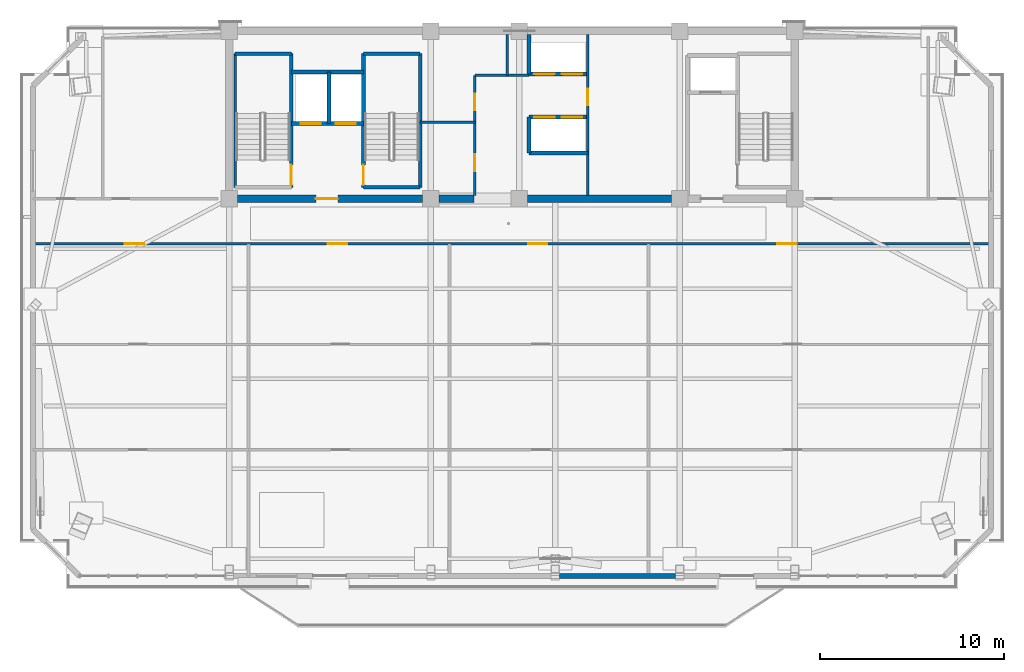
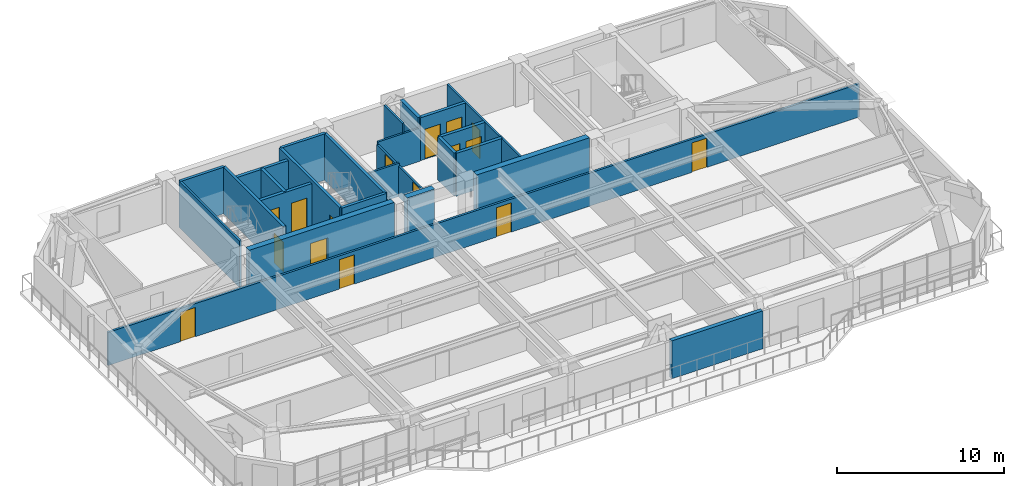
# One storey, part 9 of 15: 25 walls, 16 doors, 16 openings.
"""IFC4 building model written with IfcOpenShell, lengths in metres."""

from ifc_helpers import new_model, si_unit, direction, frame, frame_2d, origin, place, context, subcontext, project, spatial, rectangle, extrude, source, transform, mapped, material, layer, layer_set, type_object, element, fill, save


model = new_model("IFC4")

# Units and contexts
model_context = context("Model", 3, precision=1e-05, world=origin(), true_north=direction((0.0, 1.0)))
body_context = subcontext(model_context, "Body", "Model", "MODEL_VIEW")
ifc_project = project(units=[si_unit("LENGTHUNIT", "METRE"), si_unit("AREAUNIT", "SQUARE_METRE"), si_unit("VOLUMEUNIT", "CUBIC_METRE"), si_unit("PLANEANGLEUNIT", "RADIAN"), si_unit("MASSUNIT", "GRAM", prefix="KILO")], contexts=[model_context])

# Site, building, storey
site_placement = place(None, origin())
site = spatial("IfcSite", under=ifc_project, at=site_placement, CompositionType="ELEMENT")
building_placement = place(site_placement, origin())
building = spatial("IfcBuilding", under=site, at=building_placement, Name="Giltprow Tower", CompositionType="ELEMENT")
storey_placement = place(building_placement, frame((0.0, 0.0, 275.699951171875)))
storey = spatial("IfcBuildingStorey", under=building, at=storey_placement, Name="L71", CompositionType="ELEMENT", Elevation=275.699951171875)

# Wall
ifc_material_1 = material(Name="Precast concrete C40", Category="concrete")
ifc_layer_1 = layer(ifc_material_1, 0.280029296875, Name="Precast concrete C40")
ifc_layer_set_1 = layer_set([ifc_layer_1], Name="Precast concrete C40")
wall_type_1 = type_object("IfcWallType", Name="EW-TOW-BRONZE-280", PredefinedType="SOLIDWALL", material=ifc_layer_set_1)
wall_1_placement = place(storey_placement, frame((37.77490234375, 16.97607421875, 0.0), z_axis=(0.0, 0.0, 1.0), x_axis=(1.0, 0.0, 0.0)))
element("IfcWall", 1, at=wall_1_placement, inside=storey, type_object=wall_type_1, Name="L71 South Expressed Frame Wall 4", PredefinedType="SOLIDWALL", context=body_context, shape_type="SweptSolid", body=[
    extrude(rectangle(XDim=6.300048828125, YDim=0.280029296875, at=frame_2d((3.14990234375, 0.0))), origin(), (0.0, 0.0, 1.0), 2.77001953125),
])

# Wall, openings, doors
ifc_material_2 = material(Name="Gypsum stud partition", Category="gypsum")
ifc_layer_2 = layer(ifc_material_2, 0.14990234375, Name="Gypsum stud partition")
ifc_layer_set_2 = layer_set([ifc_layer_2], Name="Gypsum stud partition")
wall_type_2 = type_object("IfcWallType", Name="IW-CORR-150", PredefinedType="PARTITIONING", material=ifc_layer_set_2)
wall_2_placement = place(storey_placement, frame((9.194091796875, 35.0, 0.0), z_axis=(0.0, 0.0, 1.0), x_axis=(1.0, 0.0, 0.0)))
wall_2 = element("IfcWall", 2, at=wall_2_placement, inside=storey, type_object=wall_type_2, Name="L71 Residence Gallery Corridor Wall", PredefinedType="PARTITIONING", context=body_context, shape_type="SweptSolid", body=[
    extrude(rectangle(XDim=52.012939453125, YDim=0.14990234375, at=frame_2d((26.00634765625, 0.0))), origin(), (0.0, 0.0, 1.0), 2.425048828125),
])
opening_1_placement = place(wall_2_placement, frame((4.9990234375, 0.0, 0.0)))
opening_1 = element("IfcOpeningElement", 3, at=opening_1_placement, cuts=wall_2, Name="Opening ID31", PredefinedType="OPENING", context=body_context, shape_type="SweptSolid", body=[
    extrude(rectangle(XDim=1.050048828125, YDim=2.14990234375, at=frame_2d((0.52490234375, 1.074951171875))), frame((0.0, 0.0849609375, 0.0), z_axis=(0.0, -1.0, 0.0), x_axis=(1.0, 0.0, 0.0)), (0.0, 0.0, 1.0), 0.169921875),
])
opening_2_placement = place(wall_2_placement, frame((16.01708984375, 0.0, 0.0)))
opening_2 = element("IfcOpeningElement", 4, at=opening_2_placement, cuts=wall_2, Name="Opening ID31", PredefinedType="OPENING", context=body_context, shape_type="SweptSolid", body=[
    extrude(rectangle(XDim=1.050048828125, YDim=2.14990234375, at=frame_2d((0.52490234375, 1.074951171875))), frame((0.0, 0.0849609375, 0.0), z_axis=(0.0, -1.0, 0.0), x_axis=(1.0, 0.0, 0.0)), (0.0, 0.0, 1.0), 0.169921875),
])
opening_3_placement = place(wall_2_placement, frame((26.87890625, 0.0, 0.0)))
opening_3 = element("IfcOpeningElement", 5, at=opening_3_placement, cuts=wall_2, Name="Opening ID31", PredefinedType="OPENING", context=body_context, shape_type="SweptSolid", body=[
    extrude(rectangle(XDim=1.050048828125, YDim=2.14990234375, at=frame_2d((0.52490234375, 1.074951171875))), frame((0.0, 0.0849609375, 0.0), z_axis=(0.0, -1.0, 0.0), x_axis=(1.0, 0.0, 0.0)), (0.0, 0.0, 1.0), 0.169921875),
])
opening_4_placement = place(wall_2_placement, frame((40.412109375, 0.0, 0.0)))
opening_4 = element("IfcOpeningElement", 6, at=opening_4_placement, cuts=wall_2, Name="Opening ID31", PredefinedType="OPENING", context=body_context, shape_type="SweptSolid", body=[
    extrude(rectangle(XDim=1.050048828125, YDim=2.14990234375, at=frame_2d((0.52490234375, 1.074951171875))), frame((0.0, 0.0849609375, 0.0), z_axis=(0.0, -1.0, 0.0), x_axis=(1.0, 0.0, 0.0)), (0.0, 0.0, 1.0), 0.169921875),
])
ifc_material_3 = material(Name="Engineered timber", Category="wood")
door_type_1 = type_object("IfcDoorType", Name="DR-SUITE-1050", OperationType="SINGLE_SWING_LEFT", PredefinedType="DOOR", material=ifc_material_3)
shared_shape_1 = source(origin(), body_context, "Body", "SweptSolid", [
    extrude(rectangle(XDim=1.050048828125, YDim=2.14990234375, at=frame_2d((0.52490234375, 1.074951171875))), frame((0.0, 0.02490234375, 0.0), z_axis=(0.0, -1.0, 0.0), x_axis=(1.0, 0.0, 0.0)), (0.0, 0.0, 1.0), 0.050048828125),
])
door_1_placement = place(opening_1_placement, origin())
door_1 = element("IfcDoor", 7, at=door_1_placement, inside=storey, type_object=door_type_1, Name="L71 Private Wine Cellar Store 1 North Door", OperationType="SINGLE_SWING_RIGHT", OverallHeight=2.14990234375, OverallWidth=1.050048828125, PredefinedType="DOOR", context=body_context, shape_type="MappedRepresentation", body=[
    mapped(shared_shape_1, transform((0.0, 0.0, 0.0), x_axis=(1.0, 0.0, 0.0), y_axis=(0.0, 1.0, 0.0), z_axis=(0.0, 0.0, 1.0), scale=1.0)),
])
fill(opening_1, door_1)
door_2_placement = place(opening_2_placement, origin())
door_2 = element("IfcDoor", 8, at=door_2_placement, inside=storey, type_object=door_type_1, Name="L71 Residents Sky Club Lounge North Door", OperationType="SINGLE_SWING_LEFT", OverallHeight=2.14990234375, OverallWidth=1.050048828125, PredefinedType="DOOR", context=body_context, shape_type="MappedRepresentation", body=[
    mapped(shared_shape_1, transform((0.0, 0.0, 0.0), x_axis=(1.0, 0.0, 0.0), y_axis=(0.0, 1.0, 0.0), z_axis=(0.0, 0.0, 1.0), scale=1.0)),
])
fill(opening_2, door_2)
door_3_placement = place(opening_3_placement, origin())
door_3 = element("IfcDoor", 9, at=door_3_placement, inside=storey, type_object=door_type_1, Name="L71 Residents Sky Club Lounge North Door", OperationType="SINGLE_SWING_RIGHT", OverallHeight=2.14990234375, OverallWidth=1.050048828125, PredefinedType="DOOR", context=body_context, shape_type="MappedRepresentation", body=[
    mapped(shared_shape_1, transform((0.0, 0.0, 0.0), x_axis=(1.0, 0.0, 0.0), y_axis=(0.0, 1.0, 0.0), z_axis=(0.0, 0.0, 1.0), scale=1.0)),
])
fill(opening_3, door_3)
door_4_placement = place(opening_4_placement, origin())
door_4 = element("IfcDoor", 10, at=door_4_placement, inside=storey, type_object=door_type_1, Name="L71 Valet Trunk Store 2 North Door", OperationType="SINGLE_SWING_LEFT", OverallHeight=2.14990234375, OverallWidth=1.050048828125, PredefinedType="DOOR", context=body_context, shape_type="MappedRepresentation", body=[
    mapped(shared_shape_1, transform((0.0, 0.0, 0.0), x_axis=(1.0, 0.0, 0.0), y_axis=(0.0, 1.0, 0.0), z_axis=(0.0, 0.0, 1.0), scale=1.0)),
])
fill(opening_4, door_4)

ifc_material_4 = material(Name="Concrete C40", Category="concrete")
ifc_layer_3 = layer(ifc_material_4, 0.219970703125, Name="Concrete C40")
ifc_layer_set_3 = layer_set([ifc_layer_3], Name="Concrete C40")
wall_type_3 = type_object("IfcWallType", Name="IW-SHAFT-220", PredefinedType="SOLIDWALL", material=ifc_layer_set_3)
wall_3_placement = place(storey_placement, frame((23.219970703125, 41.52001953125, 0.0), z_axis=(0.0, 0.0, 1.0), x_axis=(1.0, 0.0, 0.0)))
wall_3 = element("IfcWall", 11, at=wall_3_placement, inside=storey, type_object=wall_type_3, Name="L71 FFL1 and Service Lift Front Wall", PredefinedType="SOLIDWALL", context=body_context, shape_type="SweptSolid", body=[
    extrude(rectangle(XDim=3.919921875, YDim=0.219970703125, at=frame_2d((1.9599609375, 0.0))), origin(), (0.0, 0.0, 1.0), 3.14013671875),
])
opening_5_placement = place(wall_3_placement, frame((0.5, 0.0, 0.0)))
opening_5 = element("IfcOpeningElement", 12, at=opening_5_placement, cuts=wall_3, Name="Opening LD-11", PredefinedType="OPENING", context=body_context, shape_type="SweptSolid", body=[
    extrude(rectangle(XDim=1.10009765625, YDim=2.199951171875, at=frame_2d((0.550048828125, 1.10009765625))), frame((0.0, 0.119873046875, 0.0), z_axis=(0.0, -1.0, 0.0), x_axis=(1.0, 0.0, 0.0)), (0.0, 0.0, 1.0), 0.239990234375),
])
opening_6_placement = place(wall_3_placement, frame((2.39990234375, 0.0, 0.0)))
opening_6 = element("IfcOpeningElement", 13, at=opening_6_placement, cuts=wall_3, Name="Opening LD-11", PredefinedType="OPENING", context=body_context, shape_type="SweptSolid", body=[
    extrude(rectangle(XDim=1.10009765625, YDim=2.199951171875, at=frame_2d((0.550048828125, 1.10009765625))), frame((0.0, 0.119873046875, 0.0), z_axis=(0.0, -1.0, 0.0), x_axis=(1.0, 0.0, 0.0)), (0.0, 0.0, 1.0), 0.239990234375),
])
ifc_material_5 = material(Name="Stainless steel", Category="steel")
door_type_2 = type_object("IfcDoorType", Name="DR-LIFT-LD1100", OperationType="SLIDING_TO_LEFT", PredefinedType="DOOR", material=ifc_material_5)
shared_shape_2 = source(origin(), body_context, "Body", "SweptSolid", [
    extrude(rectangle(XDim=1.10009765625, YDim=2.199951171875, at=frame_2d((0.550048828125, 1.10009765625))), frame((0.0, 0.02490234375, 0.0), z_axis=(0.0, -1.0, 0.0), x_axis=(1.0, 0.0, 0.0)), (0.0, 0.0, 1.0), 0.050048828125),
])
door_5_placement = place(opening_5_placement, origin())
door_5 = element("IfcDoor", 14, at=door_5_placement, inside=storey, type_object=door_type_2, Name="L71 FFL1 Landing Door", OperationType="SLIDING_TO_LEFT", OverallHeight=2.199951171875, OverallWidth=1.10009765625, PredefinedType="DOOR", context=body_context, shape_type="MappedRepresentation", body=[
    mapped(shared_shape_2, transform((0.0, 0.0, 0.0), x_axis=(1.0, 0.0, 0.0), y_axis=(0.0, 1.0, 0.0), z_axis=(0.0, 0.0, 1.0), scale=1.0)),
])
fill(opening_5, door_5)
door_6_placement = place(opening_6_placement, origin())
door_6 = element("IfcDoor", 15, at=door_6_placement, inside=storey, type_object=door_type_2, Name="L71 SVL1 Landing Door", OperationType="SLIDING_TO_LEFT", OverallHeight=2.199951171875, OverallWidth=1.10009765625, PredefinedType="DOOR", context=body_context, shape_type="MappedRepresentation", body=[
    mapped(shared_shape_2, transform((0.0, 0.0, 0.0), x_axis=(1.0, 0.0, 0.0), y_axis=(0.0, 1.0, 0.0), z_axis=(0.0, 0.0, 1.0), scale=1.0)),
])
fill(opening_6, door_6)

# Walls
wall_4_placement = place(storey_placement, frame((25.260009765625, 41.52001953125, 0.0), z_axis=(0.0, 0.0, 1.0), x_axis=(0.0, 1.0, 0.0)))
element("IfcWall", 16, at=wall_4_placement, inside=storey, type_object=wall_type_3, Name="L71 FFL1-SVL1 Shaft Divider", PredefinedType="SOLIDWALL", context=body_context, shape_type="SweptSolid", body=[
    extrude(rectangle(XDim=2.800048828125, YDim=0.219970703125, at=frame_2d((1.39990234375, 0.0))), origin(), (0.0, 0.0, 1.0), 3.14013671875),
])
wall_5_placement = place(storey_placement, frame((23.219970703125, 44.320068359375, 0.0), z_axis=(0.0, 0.0, 1.0), x_axis=(1.0, 0.0, 0.0)))
element("IfcWall", 17, at=wall_5_placement, inside=storey, type_object=wall_type_3, Name="L71 FFL1-SVL1 Back Shaft Wall", PredefinedType="SOLIDWALL", context=body_context, shape_type="SweptSolid", body=[
    extrude(rectangle(XDim=3.919921875, YDim=0.219970703125, at=frame_2d((1.9599609375, 0.0))), origin(), (0.0, 0.0, 1.0), 3.14013671875),
])

# Wall, openings, doors
wall_6_placement = place(storey_placement, frame((36.1201171875, 44.219970703125, 0.0), z_axis=(0.0, 0.0, 1.0), x_axis=(1.0, 0.0, 0.0)))
wall_6 = element("IfcWall", 18, at=wall_6_placement, inside=storey, type_object=wall_type_3, Name="L71 High-Rise Lift Shaft Front Wall N", PredefinedType="SOLIDWALL", context=body_context, shape_type="SweptSolid", body=[
    extrude(rectangle(XDim=3.199951171875, YDim=0.219970703125, at=frame_2d((1.60009765625, 0.0))), origin(), (0.0, 0.0, 1.0), 3.14013671875),
])
opening_7_placement = place(wall_6_placement, frame((0.300048828125, 0.0, 0.0)))
opening_7 = element("IfcOpeningElement", 19, at=opening_7_placement, cuts=wall_6, Name="Opening LD-11", PredefinedType="OPENING", context=body_context, shape_type="SweptSolid", body=[
    extrude(rectangle(XDim=1.10009765625, YDim=2.199951171875, at=frame_2d((0.550048828125, 1.10009765625))), frame((0.0, 0.119873046875, 0.0), z_axis=(0.0, -1.0, 0.0), x_axis=(1.0, 0.0, 0.0)), (0.0, 0.0, 1.0), 0.239990234375),
])
opening_8_placement = place(wall_6_placement, frame((1.7900390625, 0.0, 0.0)))
opening_8 = element("IfcOpeningElement", 20, at=opening_8_placement, cuts=wall_6, Name="Opening LD-11", PredefinedType="OPENING", context=body_context, shape_type="SweptSolid", body=[
    extrude(rectangle(XDim=1.10009765625, YDim=2.199951171875, at=frame_2d((0.550048828125, 1.10009765625))), frame((0.0, 0.119873046875, 0.0), z_axis=(0.0, -1.0, 0.0), x_axis=(1.0, 0.0, 0.0)), (0.0, 0.0, 1.0), 0.239990234375),
])
door_7_placement = place(opening_7_placement, origin())
door_7 = element("IfcDoor", 21, at=door_7_placement, inside=storey, type_object=door_type_2, Name="L71 PL-H1 Landing Door", OperationType="SLIDING_TO_LEFT", OverallHeight=2.199951171875, OverallWidth=1.10009765625, PredefinedType="DOOR", context=body_context, shape_type="MappedRepresentation", body=[
    mapped(shared_shape_2, transform((0.0, 0.0, 0.0), x_axis=(1.0, 0.0, 0.0), y_axis=(0.0, 1.0, 0.0), z_axis=(0.0, 0.0, 1.0), scale=1.0)),
])
fill(opening_7, door_7)
door_8_placement = place(opening_8_placement, origin())
door_8 = element("IfcDoor", 22, at=door_8_placement, inside=storey, type_object=door_type_2, Name="L71 PL-H2 Landing Door", OperationType="SLIDING_TO_LEFT", OverallHeight=2.199951171875, OverallWidth=1.10009765625, PredefinedType="DOOR", context=body_context, shape_type="MappedRepresentation", body=[
    mapped(shared_shape_2, transform((0.0, 0.0, 0.0), x_axis=(1.0, 0.0, 0.0), y_axis=(0.0, 1.0, 0.0), z_axis=(0.0, 0.0, 1.0), scale=1.0)),
])
fill(opening_8, door_8)

wall_7_placement = place(storey_placement, frame((36.1201171875, 41.8798828125, 0.0), z_axis=(0.0, 0.0, 1.0), x_axis=(1.0, 0.0, 0.0)))
wall_7 = element("IfcWall", 23, at=wall_7_placement, inside=storey, type_object=wall_type_3, Name="L71 High-Rise Lift Shaft Front Wall S", PredefinedType="SOLIDWALL", context=body_context, shape_type="SweptSolid", body=[
    extrude(rectangle(XDim=3.199951171875, YDim=0.219970703125, at=frame_2d((1.60009765625, 0.0))), origin(), (0.0, 0.0, 1.0), 3.14013671875),
])
opening_9_placement = place(wall_7_placement, frame((0.300048828125, 0.0, 0.0)))
opening_9 = element("IfcOpeningElement", 24, at=opening_9_placement, cuts=wall_7, Name="Opening LD-11", PredefinedType="OPENING", context=body_context, shape_type="SweptSolid", body=[
    extrude(rectangle(XDim=1.10009765625, YDim=2.199951171875, at=frame_2d((0.550048828125, 1.10009765625))), frame((0.0, 0.119873046875, 0.0), z_axis=(0.0, -1.0, 0.0), x_axis=(1.0, 0.0, 0.0)), (0.0, 0.0, 1.0), 0.239990234375),
])
opening_10_placement = place(wall_7_placement, frame((1.7900390625, 0.0, 0.0)))
opening_10 = element("IfcOpeningElement", 25, at=opening_10_placement, cuts=wall_7, Name="Opening LD-11", PredefinedType="OPENING", context=body_context, shape_type="SweptSolid", body=[
    extrude(rectangle(XDim=1.10009765625, YDim=2.199951171875, at=frame_2d((0.550048828125, 1.10009765625))), frame((0.0, 0.119873046875, 0.0), z_axis=(0.0, -1.0, 0.0), x_axis=(1.0, 0.0, 0.0)), (0.0, 0.0, 1.0), 0.239990234375),
])
door_9_placement = place(opening_9_placement, origin())
door_9 = element("IfcDoor", 26, at=door_9_placement, inside=storey, type_object=door_type_2, Name="L71 PL-H3 Landing Door", OperationType="SLIDING_TO_LEFT", OverallHeight=2.199951171875, OverallWidth=1.10009765625, PredefinedType="DOOR", context=body_context, shape_type="MappedRepresentation", body=[
    mapped(shared_shape_2, transform((0.0, 0.0, 0.0), x_axis=(1.0, 0.0, 0.0), y_axis=(0.0, 1.0, 0.0), z_axis=(0.0, 0.0, 1.0), scale=1.0)),
])
fill(opening_9, door_9)
door_10_placement = place(opening_10_placement, origin())
door_10 = element("IfcDoor", 27, at=door_10_placement, inside=storey, type_object=door_type_2, Name="L71 PL-H4 Landing Door", OperationType="SLIDING_TO_LEFT", OverallHeight=2.199951171875, OverallWidth=1.10009765625, PredefinedType="DOOR", context=body_context, shape_type="MappedRepresentation", body=[
    mapped(shared_shape_2, transform((0.0, 0.0, 0.0), x_axis=(1.0, 0.0, 0.0), y_axis=(0.0, 1.0, 0.0), z_axis=(0.0, 0.0, 1.0), scale=1.0)),
])
fill(opening_10, door_10)

# Walls
wall_8_placement = place(storey_placement, frame((36.1201171875, 39.919921875, 0.0), z_axis=(0.0, 0.0, 1.0), x_axis=(1.0, 0.0, 0.0)))
element("IfcWall", 28, at=wall_8_placement, inside=storey, type_object=wall_type_3, Name="L71 High-Rise South Lift Back Wall", PredefinedType="SOLIDWALL", context=body_context, shape_type="SweptSolid", body=[
    extrude(rectangle(XDim=3.199951171875, YDim=0.219970703125, at=frame_2d((1.60009765625, 0.0))), origin(), (0.0, 0.0, 1.0), 3.14013671875),
])
wall_9_placement = place(storey_placement, frame((36.1201171875, 39.919921875, 0.0), z_axis=(0.0, 0.0, 1.0), x_axis=(0.0, 1.0, 0.0)))
element("IfcWall", 29, at=wall_9_placement, inside=storey, type_object=wall_type_3, Name="L71 High-Rise South Lift West Closure", PredefinedType="SOLIDWALL", context=body_context, shape_type="SweptSolid", body=[
    extrude(rectangle(XDim=1.9599609375, YDim=0.219970703125, at=frame_2d((0.97998046875, 0.0))), origin(), (0.0, 0.0, 1.0), 3.14013671875),
])
wall_10_placement = place(storey_placement, frame((36.1201171875, 44.219970703125, 0.0), z_axis=(0.0, 0.0, 1.0), x_axis=(0.0, 1.0, 0.0)))
element("IfcWall", 30, at=wall_10_placement, inside=storey, type_object=wall_type_3, Name="L71 High-Rise North Lift West Closure", PredefinedType="SOLIDWALL", context=body_context, shape_type="SweptSolid", body=[
    extrude(rectangle(XDim=2.150146484375, YDim=0.219970703125, at=frame_2d((1.0751953125, 0.0))), origin(), (0.0, 0.0, 1.0), 3.14013671875),
])
ifc_material_6 = material(Name="Concrete C45", Category="concrete")
ifc_layer_4 = layer(ifc_material_6, 0.139892578125, Name="Concrete C45")
ifc_layer_set_4 = layer_set([ifc_layer_4], Name="Concrete C45")
wall_type_4 = type_object("IfcWallType", Name="IW-STAIR-140", PredefinedType="SOLIDWALL", material=ifc_layer_set_4)
wall_11_placement = place(storey_placement, frame((20.169921875, 38.070068359375, 0.0), z_axis=(0.0, 0.0, 1.0), x_axis=(0.0, 1.0, 0.0)))
element("IfcWall", 31, at=wall_11_placement, inside=storey, type_object=wall_type_4, Name="L71 Stair ST-1 West Bearing Wall", PredefinedType="SOLIDWALL", context=body_context, shape_type="SweptSolid", body=[
    extrude(rectangle(XDim=7.25, YDim=0.139892578125, at=frame_2d((3.625, 0.0))), origin(), (0.0, 0.0, 1.0), 3.400146484375),
])

# Wall, opening, door
ifc_layer_5 = layer(ifc_material_4, 0.199951171875, Name="Concrete C40")
ifc_layer_set_5 = layer_set([ifc_layer_5], Name="Concrete C40")
wall_type_5 = type_object("IfcWallType", Name="IW-STAIR-200", PredefinedType="SOLIDWALL", material=ifc_layer_set_5)
wall_12_placement = place(storey_placement, frame((23.219970703125, 38.070068359375, 0.0), z_axis=(0.0, 0.0, 1.0), x_axis=(0.0, 1.0, 0.0)))
wall_12 = element("IfcWall", 32, at=wall_12_placement, inside=storey, type_object=wall_type_5, Name="L71 Stair ST-1 East Bearing Wall", PredefinedType="SOLIDWALL", context=body_context, shape_type="SweptSolid", body=[
    extrude(rectangle(XDim=7.25, YDim=0.199951171875, at=frame_2d((3.625, 0.0))), origin(), (0.0, 0.0, 1.0), 3.400146484375),
])
opening_11_placement = place(wall_12_placement, frame((0.110107421875, 0.0, 0.0)))
opening_11 = element("IfcOpeningElement", 33, at=opening_11_placement, cuts=wall_12, Name="Opening ID33", PredefinedType="OPENING", context=body_context, shape_type="SweptSolid", body=[
    extrude(rectangle(XDim=1.10009765625, YDim=2.14990234375, at=frame_2d((0.550048828125, 1.074951171875))), frame((0.0, 0.10986328125, 0.0), z_axis=(0.0, -1.0, 0.0), x_axis=(1.0, 0.0, 0.0)), (0.0, 0.0, 1.0), 0.219970703125),
])
ifc_material_7 = material(Name="Steel fire leaf", Category="steel")
door_type_3 = type_object("IfcDoorType", Name="DR-STAIR-1100", OperationType="SINGLE_SWING_LEFT", PredefinedType="DOOR", material=ifc_material_7)
shared_shape_3 = source(origin(), body_context, "Body", "SweptSolid", [
    extrude(rectangle(XDim=1.10009765625, YDim=2.14990234375, at=frame_2d((0.550048828125, 1.074951171875))), frame((0.0, 0.02490234375, 0.0), z_axis=(0.0, -1.0, 0.0), x_axis=(1.0, 0.0, 0.0)), (0.0, 0.0, 1.0), 0.050048828125),
])
door_11_placement = place(opening_11_placement, origin())
door_11 = element("IfcDoor", 34, at=door_11_placement, inside=storey, type_object=door_type_3, Name="L71 Stair ST-1 Fire Door", OperationType="SINGLE_SWING_RIGHT", OverallHeight=2.14990234375, OverallWidth=1.10009765625, PredefinedType="DOOR", context=body_context, shape_type="MappedRepresentation", body=[
    mapped(shared_shape_3, transform((0.0, 0.0, 0.0), x_axis=(1.0, 0.0, 0.0), y_axis=(0.0, 1.0, 0.0), z_axis=(0.0, 0.0, 1.0), scale=1.0)),
])
fill(opening_11, door_11)

# Wall
wall_13_placement = place(storey_placement, frame((20.169921875, 45.320068359375, 0.0), z_axis=(0.0, 0.0, 1.0), x_axis=(1.0, 0.0, 0.0)))
element("IfcWall", 35, at=wall_13_placement, inside=storey, type_object=wall_type_5, Name="L71 Stair ST-1 North Bearing Wall", PredefinedType="SOLIDWALL", context=body_context, shape_type="SweptSolid", body=[
    extrude(rectangle(XDim=3.050048828125, YDim=0.199951171875, at=frame_2d((1.52490234375, 0.0))), origin(), (0.0, 0.0, 1.0), 3.400146484375),
])

# Wall, opening, door
wall_14_placement = place(storey_placement, frame((27.139892578125, 38.070068359375, 0.0), z_axis=(0.0, 0.0, 1.0), x_axis=(0.0, 1.0, 0.0)))
wall_14 = element("IfcWall", 36, at=wall_14_placement, inside=storey, type_object=wall_type_5, Name="L71 Stair ST-2 West Bearing Wall", PredefinedType="SOLIDWALL", context=body_context, shape_type="SweptSolid", body=[
    extrude(rectangle(XDim=7.25, YDim=0.199951171875, at=frame_2d((3.625, 0.0))), origin(), (0.0, 0.0, 1.0), 3.400146484375),
])
opening_12_placement = place(wall_14_placement, frame((0.110107421875, 0.0, 0.0)))
opening_12 = element("IfcOpeningElement", 37, at=opening_12_placement, cuts=wall_14, Name="Opening ID33", PredefinedType="OPENING", context=body_context, shape_type="SweptSolid", body=[
    extrude(rectangle(XDim=1.10009765625, YDim=2.14990234375, at=frame_2d((0.550048828125, 1.074951171875))), frame((0.0, 0.10986328125, 0.0), z_axis=(0.0, -1.0, 0.0), x_axis=(1.0, 0.0, 0.0)), (0.0, 0.0, 1.0), 0.219970703125),
])
door_12_placement = place(opening_12_placement, origin())
door_12 = element("IfcDoor", 38, at=door_12_placement, inside=storey, type_object=door_type_3, Name="L71 Stair ST-2 Fire Door", OperationType="SINGLE_SWING_LEFT", OverallHeight=2.14990234375, OverallWidth=1.10009765625, PredefinedType="DOOR", context=body_context, shape_type="MappedRepresentation", body=[
    mapped(shared_shape_3, transform((0.0, 0.0, 0.0), x_axis=(1.0, 0.0, 0.0), y_axis=(0.0, 1.0, 0.0), z_axis=(0.0, 0.0, 1.0), scale=1.0)),
])
fill(opening_12, door_12)

# Walls
wall_15_placement = place(storey_placement, frame((30.219970703125, 38.070068359375, 0.0), z_axis=(0.0, 0.0, 1.0), x_axis=(0.0, 1.0, 0.0)))
element("IfcWall", 39, at=wall_15_placement, inside=storey, type_object=wall_type_5, Name="L71 Stair ST-2 East Bearing Wall", PredefinedType="SOLIDWALL", context=body_context, shape_type="SweptSolid", body=[
    extrude(rectangle(XDim=7.25, YDim=0.199951171875, at=frame_2d((3.625, 0.0))), origin(), (0.0, 0.0, 1.0), 3.400146484375),
])
for number, where, z_axis, x_axis, name in (
    (40, (27.139892578125, 45.320068359375, 0.0), (0.0, 0.0, 1.0), (1.0, 0.0, 0.0), "L71 Stair ST-2 North Bearing Wall"),
    (41, (27.139892578125, 38.070068359375, 0.0), (0.0, 0.0, 1.0), (1.0, 0.0, 0.0), "L71 Stair ST-2 South Bearing Wall"),
):
    element("IfcWall", number, at=place(storey_placement, frame(where, z_axis=z_axis, x_axis=x_axis)), inside=storey, type_object=wall_type_5, Name=name, PredefinedType="SOLIDWALL", context=body_context, shape_type="SweptSolid", body=[
        extrude(rectangle(XDim=3.080078125, YDim=0.199951171875, at=frame_2d((1.5400390625, 0.0))), origin(), (0.0, 0.0, 1.0), 3.400146484375),
    ])

# Wall, openings, doors
ifc_material_8 = material(Name="Concrete C30", Category="concrete")
ifc_layer_6 = layer(ifc_material_8, 0.1298828125, Name="Concrete C30")
ifc_layer_set_6 = layer_set([ifc_layer_6], Name="Concrete C30")
wall_type_6 = type_object("IfcWallType", Name="IW-WET-130", PredefinedType="PARTITIONING", material=ifc_layer_set_6)
wall_16_placement = place(storey_placement, frame((33.179931640625, 37.6298828125, 0.0), z_axis=(0.0, 0.0, 1.0), x_axis=(0.0, 1.0, 0.0)))
wall_16 = element("IfcWall", 42, at=wall_16_placement, inside=storey, type_object=wall_type_6, Name="L71 Reclaimed West Core Wall", PredefinedType="PARTITIONING", context=body_context, shape_type="SweptSolid", body=[
    extrude(rectangle(XDim=6.52001953125, YDim=0.1298828125, at=frame_2d((3.260009765625, 0.0))), origin(), (0.0, 0.0, 1.0), 2.22509765625),
])
opening_13_placement = place(wall_16_placement, frame((1.320068359375, 0.0, 0.0)))
opening_13 = element("IfcOpeningElement", 43, at=opening_13_placement, cuts=wall_16, Name="Opening ID35", PredefinedType="OPENING", context=body_context, shape_type="SweptSolid", body=[
    extrude(rectangle(XDim=0.89990234375, YDim=2.10009765625, at=frame_2d((0.449951171875, 1.050048828125))), frame((0.0, 0.074951171875, 0.0), z_axis=(0.0, -1.0, 0.0), x_axis=(1.0, 0.0, 0.0)), (0.0, 0.0, 1.0), 0.14990234375),
])
opening_14_placement = place(wall_16_placement, frame((4.6201171875, 0.0, 0.0)))
opening_14 = element("IfcOpeningElement", 44, at=opening_14_placement, cuts=wall_16, Name="Opening ID35", PredefinedType="OPENING", context=body_context, shape_type="SweptSolid", body=[
    extrude(rectangle(XDim=0.89990234375, YDim=2.10009765625, at=frame_2d((0.449951171875, 1.050048828125))), frame((0.0, 0.074951171875, 0.0), z_axis=(0.0, -1.0, 0.0), x_axis=(1.0, 0.0, 0.0)), (0.0, 0.0, 1.0), 0.14990234375),
])
door_type_4 = type_object("IfcDoorType", Name="DR-SHAFT-900", OperationType="SINGLE_SWING_LEFT", PredefinedType="DOOR", material=ifc_material_7)
shared_shape_4 = source(origin(), body_context, "Body", "SweptSolid", [
    extrude(rectangle(XDim=0.89990234375, YDim=2.10009765625, at=frame_2d((0.449951171875, 1.050048828125))), frame((0.0, 0.02490234375, 0.0), z_axis=(0.0, -1.0, 0.0), x_axis=(1.0, 0.0, 0.0)), (0.0, 0.0, 1.0), 0.050048828125),
])
door_13_placement = place(opening_13_placement, origin())
door_13 = element("IfcDoor", 45, at=door_13_placement, inside=storey, type_object=door_type_4, Name="L71 Core Powder Room Door", OperationType="SINGLE_SWING_LEFT", OverallHeight=2.10009765625, OverallWidth=0.89990234375, PredefinedType="DOOR", context=body_context, shape_type="MappedRepresentation", body=[
    mapped(shared_shape_4, transform((0.0, 0.0, 0.0), x_axis=(1.0, 0.0, 0.0), y_axis=(0.0, 1.0, 0.0), z_axis=(0.0, 0.0, 1.0), scale=1.0)),
])
fill(opening_13, door_13)
door_14_placement = place(opening_14_placement, origin())
door_14 = element("IfcDoor", 46, at=door_14_placement, inside=storey, type_object=door_type_4, Name="L71 Core Valet Pantry Door", OperationType="SINGLE_SWING_RIGHT", OverallHeight=2.10009765625, OverallWidth=0.89990234375, PredefinedType="DOOR", context=body_context, shape_type="MappedRepresentation", body=[
    mapped(shared_shape_4, transform((0.0, 0.0, 0.0), x_axis=(1.0, 0.0, 0.0), y_axis=(0.0, 1.0, 0.0), z_axis=(0.0, 0.0, 1.0), scale=1.0)),
])
fill(opening_14, door_14)

# Walls
wall_17_placement = place(storey_placement, frame((34.949951171875, 44.14990234375, 0.0), z_axis=(0.0, 0.0, 1.0), x_axis=(0.0, 1.0, 0.0)))
element("IfcWall", 47, at=wall_17_placement, inside=storey, type_object=wall_type_6, Name="L71 Reclaimed West Pocket Wall E", PredefinedType="PARTITIONING", context=body_context, shape_type="SweptSolid", body=[
    extrude(rectangle(XDim=2.22021484375, YDim=0.1298828125, at=frame_2d((1.110107421875, 0.0))), origin(), (0.0, 0.0, 1.0), 3.14013671875),
])
wall_18_placement = place(storey_placement, frame((33.179931640625, 44.14990234375, 0.0), z_axis=(0.0, 0.0, 1.0), x_axis=(1.0, 0.0, 0.0)))
element("IfcWall", 48, at=wall_18_placement, inside=storey, type_object=wall_type_6, Name="L71 Reclaimed West Pocket Wall S", PredefinedType="PARTITIONING", context=body_context, shape_type="SweptSolid", body=[
    extrude(rectangle(XDim=2.940185546875, YDim=0.1298828125, at=frame_2d((1.47021484375, 0.0))), origin(), (0.0, 0.0, 1.0), 2.425048828125),
])

# Wall, opening, door
wall_19_placement = place(storey_placement, frame((39.320068359375, 37.6298828125, 0.0), z_axis=(0.0, 0.0, 1.0), x_axis=(0.0, 1.0, 0.0)))
wall_19 = element("IfcWall", 49, at=wall_19_placement, inside=storey, type_object=wall_type_6, Name="L71 Reclaimed East Core Wall", PredefinedType="PARTITIONING", context=body_context, shape_type="SweptSolid", body=[
    extrude(rectangle(XDim=8.740234375, YDim=0.1298828125, at=frame_2d((4.3701171875, 0.0))), origin(), (0.0, 0.0, 1.0), 3.14013671875),
])
opening_15_placement = place(wall_19_placement, frame((4.889892578125, 0.0, 0.0)))
opening_15 = element("IfcOpeningElement", 50, at=opening_15_placement, cuts=wall_19, Name="Opening ID35", PredefinedType="OPENING", context=body_context, shape_type="SweptSolid", body=[
    extrude(rectangle(XDim=0.89990234375, YDim=2.10009765625, at=frame_2d((0.449951171875, 1.050048828125))), frame((0.0, 0.074951171875, 0.0), z_axis=(0.0, -1.0, 0.0), x_axis=(1.0, 0.0, 0.0)), (0.0, 0.0, 1.0), 0.14990234375),
])
door_15_placement = place(opening_15_placement, origin())
door_15 = element("IfcDoor", 51, at=door_15_placement, inside=storey, type_object=door_type_4, Name="L71 Core Cold Delivery Store Door", OperationType="SINGLE_SWING_LEFT", OverallHeight=2.10009765625, OverallWidth=0.89990234375, PredefinedType="DOOR", context=body_context, shape_type="MappedRepresentation", body=[
    mapped(shared_shape_4, transform((0.0, 0.0, 0.0), x_axis=(1.0, 0.0, 0.0), y_axis=(0.0, 1.0, 0.0), z_axis=(0.0, 0.0, 1.0), scale=1.0)),
])
fill(opening_15, door_15)

# Wall
wall_20_placement = place(storey_placement, frame((30.219970703125, 41.60009765625, 0.0), z_axis=(0.0, 0.0, 1.0), x_axis=(1.0, 0.0, 0.0)))
element("IfcWall", 52, at=wall_20_placement, inside=storey, type_object=wall_type_6, Name="L71 West Core Split", PredefinedType="PARTITIONING", context=body_context, shape_type="SweptSolid", body=[
    extrude(rectangle(XDim=2.9599609375, YDim=0.1298828125, at=frame_2d((1.47998046875, 0.0))), origin(), (0.0, 0.0, 1.0), 2.425048828125),
])

# Wall, opening, door
ifc_layer_7 = layer(ifc_material_6, 0.39990234375, Name="Concrete C45")
ifc_layer_set_7 = layer_set([ifc_layer_7], Name="Concrete C45")
wall_type_7 = type_object("IfcWallType", Name="SW-INT-400-C45", PredefinedType="SHEAR", material=ifc_layer_set_7)
wall_21_placement = place(storey_placement, frame((20.300048828125, 37.449951171875, 0.0), z_axis=(0.0, 0.0, 1.0), x_axis=(1.0, 0.0, 0.0)))
wall_21 = element("IfcWall", 53, at=wall_21_placement, inside=storey, type_object=wall_type_7, Name="L71 South Rear Core Shear Wall West", PredefinedType="SHEAR", context=body_context, shape_type="SweptSolid", body=[
    extrude(rectangle(XDim=10.050048828125, YDim=0.39990234375, at=frame_2d((5.02490234375, 0.0))), origin(), (0.0, 0.0, 1.0), 3.14013671875),
])
opening_16_placement = place(wall_21_placement, frame((4.25, 0.0, 0.0)))
opening_16 = element("IfcOpeningElement", 54, at=opening_16_placement, cuts=wall_21, Name="Opening ID19", PredefinedType="OPENING", context=body_context, shape_type="SweptSolid", body=[
    extrude(rectangle(XDim=1.199951171875, YDim=2.14990234375, at=frame_2d((0.60009765625, 1.074951171875))), frame((0.0, 0.2099609375, 0.0), z_axis=(0.0, -1.0, 0.0), x_axis=(1.0, 0.0, 0.0)), (0.0, 0.0, 1.0), 0.419921875),
])
door_type_5 = type_object("IfcDoorType", Name="DR-FFLOBBY-1200", OperationType="SINGLE_SWING_RIGHT", PredefinedType="DOOR", material=ifc_material_7)
shared_shape_5 = source(origin(), body_context, "Body", "SweptSolid", [
    extrude(rectangle(XDim=1.199951171875, YDim=2.14990234375, at=frame_2d((0.60009765625, 1.074951171875))), frame((0.0, 0.02490234375, 0.0), z_axis=(0.0, -1.0, 0.0), x_axis=(1.0, 0.0, 0.0)), (0.0, 0.0, 1.0), 0.050048828125),
])
door_16_placement = place(opening_16_placement, origin())
door_16 = element("IfcDoor", 55, at=door_16_placement, inside=storey, type_object=door_type_5, Name="L71 West Firefighting Lobby Entry Door", OperationType="SINGLE_SWING_LEFT", OverallHeight=2.14990234375, OverallWidth=1.199951171875, PredefinedType="DOOR", context=body_context, shape_type="MappedRepresentation", body=[
    mapped(shared_shape_5, transform((0.0, 0.0, 0.0), x_axis=(1.0, 0.0, 0.0), y_axis=(0.0, 1.0, 0.0), z_axis=(0.0, 0.0, 1.0), scale=1.0)),
])
fill(opening_16, door_16)

# Walls
wall_22_placement = place(storey_placement, frame((31.25, 37.449951171875, 0.0), z_axis=(0.0, 0.0, 1.0), x_axis=(1.0, 0.0, 0.0)))
element("IfcWall", 56, at=wall_22_placement, inside=storey, type_object=wall_type_7, Name="L71 South Rear Core Shear Wall Mid-West", PredefinedType="SHEAR", context=body_context, shape_type="SweptSolid", body=[
    extrude(rectangle(XDim=1.89990234375, YDim=0.39990234375, at=frame_2d((0.949951171875, 0.0))), origin(), (0.0, 0.0, 1.0), 3.14013671875),
])
wall_23_placement = place(storey_placement, frame((36.050048828125, 37.449951171875, 0.0), z_axis=(0.0, 0.0, 1.0), x_axis=(1.0, 0.0, 0.0)))
element("IfcWall", 57, at=wall_23_placement, inside=storey, type_object=wall_type_7, Name="L71 South Rear Core Shear Wall Mid-East", PredefinedType="SHEAR", context=body_context, shape_type="SweptSolid", body=[
    extrude(rectangle(XDim=7.800048828125, YDim=0.39990234375, at=frame_2d((3.89990234375, 0.0))), origin(), (0.0, 0.0, 1.0), 3.14013671875),
])

save(model, "model.ifc")
